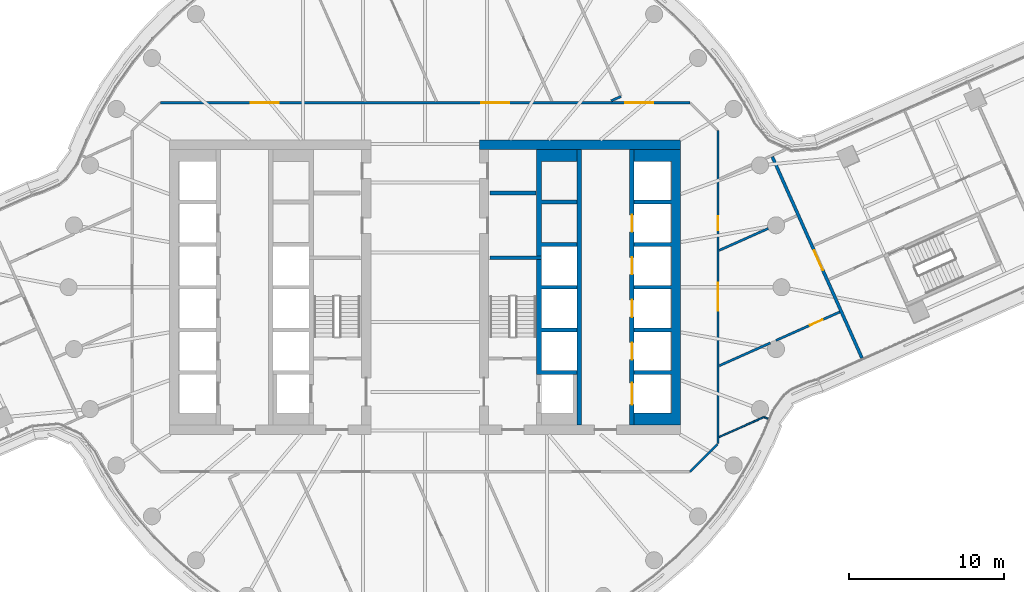
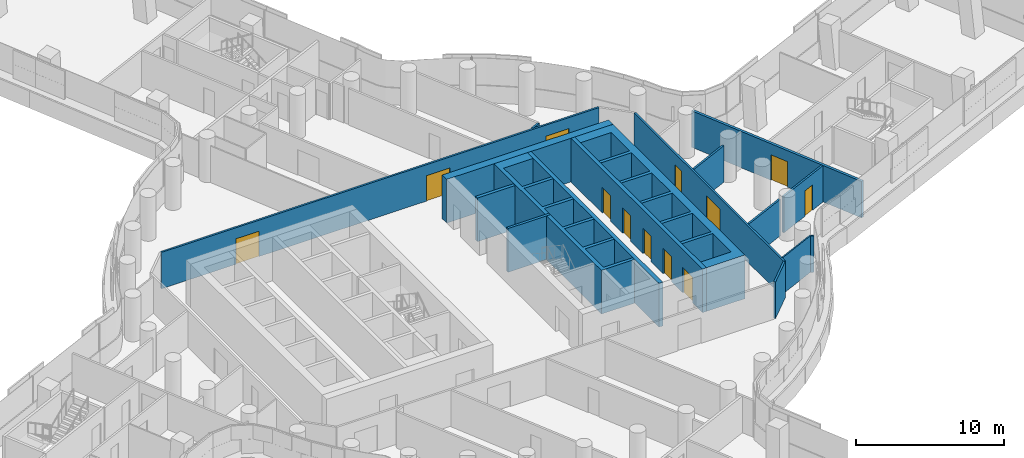
# One storey, part 24 of 35: 17 walls, 12 doors, 12 openings.
"""IFC4 building model written with IfcOpenShell, lengths in metres."""

from ifc_helpers import new_model, si_unit, direction, frame, frame_2d, origin, place, context, subcontext, project, spatial, polyline, rectangle, outline, extrude, material, layer, layer_set, type_object, element, fill, save


model = new_model("IFC4")

# Units and contexts
model_context = context("Model", 3, precision=1e-05, world=origin(), true_north=direction((0.0, 1.0)))
body_context = subcontext(model_context, "Body", "Model", "MODEL_VIEW")
ifc_project = project(units=[si_unit("LENGTHUNIT", "METRE"), si_unit("AREAUNIT", "SQUARE_METRE"), si_unit("VOLUMEUNIT", "CUBIC_METRE"), si_unit("PLANEANGLEUNIT", "RADIAN"), si_unit("MASSUNIT", "GRAM", prefix="KILO")], contexts=[model_context])

# Site, building, storey
site_placement = place(None, origin())
site = spatial("IfcSite", under=ifc_project, at=site_placement, CompositionType="ELEMENT")
building_placement = place(site_placement, origin())
building = spatial("IfcBuilding", under=site, at=building_placement, Name="Tamarind Cross Interchange Tower", CompositionType="ELEMENT")
storey_placement = place(building_placement, frame((0.0, 0.0, 121.0)))
storey = spatial("IfcBuildingStorey", under=building, at=storey_placement, Name="L29", CompositionType="ELEMENT", Elevation=121.0)

# Walls
ifc_material_1 = material(Name="Concrete C70", Category="concrete")
ifc_layer_1 = layer(ifc_material_1, 0.60009765625)
ifc_layer_set_1 = layer_set([ifc_layer_1], Name="Concrete C70")
wall_type_1 = type_object("IfcWallType", Name="Core wall 600 mm Concrete C70", PredefinedType="SHEAR", material=ifc_layer_set_1)
wall_1_placement = place(storey_placement, origin())
element("IfcWall", 1, at=wall_1_placement, inside=storey, type_object=wall_type_1, Name="Core wall CWL-L29-E-A", PredefinedType="SHEAR", context=body_context, shape_type="SweptSolid", body=[
    extrude(outline(polyline([(13.5, -8.89990234375), (15.89990234375, -8.89990234375), (16.5, -8.89990234375), (16.5, 8.89990234375), (15.89990234375, 8.89990234375), (13.5, 8.89990234375), (13.5, 8.125), (15.89990234375, 8.125), (15.89990234375, 5.625), (13.5, 5.625), (13.5, 5.375), (15.89990234375, 5.375), (15.89990234375, 2.875), (13.5, 2.875), (13.5, 2.625), (15.89990234375, 2.625), (15.89990234375, 0.125), (13.5, 0.125), (13.5, -0.125), (15.89990234375, -0.125), (15.89990234375, -2.625), (13.5, -2.625), (13.5, -2.875), (15.89990234375, -2.875), (15.89990234375, -5.375), (13.5, -5.375), (13.5, -5.625), (15.89990234375, -5.625), (15.89990234375, -8.125), (13.5, -8.125), (13.5, -8.89990234375)])), origin(), (0.0, 0.0, 1.0), 3.610107421875),
])
wall_2_placement = place(storey_placement, frame((16.5, 9.199951171875, 0.0), z_axis=(0.0, 0.0, 1.0), x_axis=(-1.0, 0.0, 0.0)))
element("IfcWall", 2, at=wall_2_placement, inside=storey, type_object=wall_type_1, Name="Core wall CWL-L29-E-NE", PredefinedType="SHEAR", context=body_context, shape_type="SweptSolid", body=[
    extrude(rectangle(XDim=13.0, YDim=0.60009765625, at=frame_2d((6.5, 0.0))), origin(), (0.0, 0.0, 1.0), 3.610107421875),
])
ifc_layer_2 = layer(ifc_material_1, 0.199951171875)
ifc_layer_set_2 = layer_set([ifc_layer_2], Name="Concrete C70")
wall_type_2 = type_object("IfcWallType", Name="Core web wall 200 mm Concrete C70", PredefinedType="SHEAR", material=ifc_layer_set_2)
wall_3_placement = place(storey_placement, frame((7.5, 1.89990234375, 0.0), z_axis=(0.0, 0.0, 1.0), x_axis=(-1.0, 0.0, 0.0)))
element("IfcWall", 3, at=wall_3_placement, inside=storey, type_object=wall_type_2, Name="Core wall CWL-L29-E-BD", PredefinedType="SHEAR", context=body_context, shape_type="SweptSolid", body=[
    extrude(rectangle(XDim=3.300048828125, YDim=0.199951171875, at=frame_2d((1.64990234375, 0.0))), origin(), (0.0, 0.0, 1.0), 3.610107421875),
])
ifc_layer_3 = layer(ifc_material_1, 0.300048828125)
ifc_layer_set_3 = layer_set([ifc_layer_3], Name="Concrete C70")
wall_type_3 = type_object("IfcWallType", Name="Core web wall 300 mm Concrete C70", PredefinedType="SHEAR", material=ifc_layer_set_3)
wall_4_placement = place(storey_placement, origin())
element("IfcWall", 4, at=wall_4_placement, inside=storey, type_object=wall_type_3, Name="Core wall CWL-L29-E-BN", PredefinedType="SHEAR", context=body_context, shape_type="SweptSolid", body=[
    extrude(outline(polyline([(9.800048828125, -5.375), (7.5, -5.375), (7.5, -2.875), (9.800048828125, -2.875), (9.800048828125, -2.625), (7.5, -2.625), (7.5, -0.125), (9.800048828125, -0.125), (9.800048828125, 0.125), (7.5, 0.125), (7.5, 2.625), (9.800048828125, 2.625), (9.800048828125, 2.875), (7.5, 2.875), (7.5, 5.375), (9.800048828125, 5.375), (9.800048828125, 5.625), (7.5, 5.625), (7.5, 8.125), (9.800048828125, 8.125), (9.800048828125, 8.89990234375), (7.5, 8.89990234375), (7.199951171875, 8.89990234375), (7.199951171875, -5.625), (7.5, -5.625), (9.800048828125, -5.625), (9.800048828125, -5.375)])), origin(), (0.0, 0.0, 1.0), 3.610107421875),
])

# Wall, openings, doors
wall_5_placement = place(storey_placement, frame((13.35009765625, -8.89990234375, 0.0), z_axis=(0.0, 0.0, 1.0), x_axis=(0.0, 1.0, 0.0)))
wall_5 = element("IfcWall", 5, at=wall_5_placement, inside=storey, type_object=wall_type_3, Name="Core wall CWL-L29-E-LA", PredefinedType="SHEAR", context=body_context, shape_type="SweptSolid", body=[
    extrude(rectangle(XDim=17.7998046875, YDim=0.300048828125, at=frame_2d((8.89990234375, 0.0))), origin(), (0.0, 0.0, 1.0), 3.610107421875),
])
opening_1_placement = place(wall_5_placement, frame((1.324951171875, 0.0, 0.0)))
opening_1 = element("IfcOpeningElement", 6, at=opening_1_placement, cuts=wall_5, Name="Opening LD13L29", PredefinedType="OPENING", context=body_context, shape_type="SweptSolid", body=[
    extrude(rectangle(XDim=1.39990234375, YDim=2.10009765625, at=frame_2d((0.699951171875, 1.050048828125))), frame((0.0, 0.159912109375, 0.0), z_axis=(0.0, -1.0, 0.0), x_axis=(1.0, 0.0, 0.0)), (0.0, 0.0, 1.0), 0.320068359375),
])
opening_2_placement = place(wall_5_placement, frame((4.22509765625, 0.0, 0.0)))
opening_2 = element("IfcOpeningElement", 7, at=opening_2_placement, cuts=wall_5, Name="Opening LD14L29", PredefinedType="OPENING", context=body_context, shape_type="SweptSolid", body=[
    extrude(rectangle(XDim=1.10009765625, YDim=2.10009765625, at=frame_2d((0.550048828125, 1.050048828125))), frame((0.0, 0.159912109375, 0.0), z_axis=(0.0, -1.0, 0.0), x_axis=(1.0, 0.0, 0.0)), (0.0, 0.0, 1.0), 0.320068359375),
])
opening_3_placement = place(wall_5_placement, frame((6.97509765625, 0.0, 0.0)))
opening_3 = element("IfcOpeningElement", 8, at=opening_3_placement, cuts=wall_5, Name="Opening LD15L29", PredefinedType="OPENING", context=body_context, shape_type="SweptSolid", body=[
    extrude(rectangle(XDim=1.10009765625, YDim=2.10009765625, at=frame_2d((0.550048828125, 1.050048828125))), frame((0.0, 0.159912109375, 0.0), z_axis=(0.0, -1.0, 0.0), x_axis=(1.0, 0.0, 0.0)), (0.0, 0.0, 1.0), 0.320068359375),
])
opening_4_placement = place(wall_5_placement, frame((9.72509765625, 0.0, 0.0)))
opening_4 = element("IfcOpeningElement", 9, at=opening_4_placement, cuts=wall_5, Name="Opening LD16L29", PredefinedType="OPENING", context=body_context, shape_type="SweptSolid", body=[
    extrude(rectangle(XDim=1.10009765625, YDim=2.10009765625, at=frame_2d((0.550048828125, 1.050048828125))), frame((0.0, 0.159912109375, 0.0), z_axis=(0.0, -1.0, 0.0), x_axis=(1.0, 0.0, 0.0)), (0.0, 0.0, 1.0), 0.320068359375),
])
opening_5_placement = place(wall_5_placement, frame((12.47509765625, 0.0, 0.0)))
opening_5 = element("IfcOpeningElement", 10, at=opening_5_placement, cuts=wall_5, Name="Opening LD17L29", PredefinedType="OPENING", context=body_context, shape_type="SweptSolid", body=[
    extrude(rectangle(XDim=1.10009765625, YDim=2.10009765625, at=frame_2d((0.550048828125, 1.050048828125))), frame((0.0, 0.159912109375, 0.0), z_axis=(0.0, -1.0, 0.0), x_axis=(1.0, 0.0, 0.0)), (0.0, 0.0, 1.0), 0.320068359375),
])
ifc_material_2 = material(Name="Stainless steel panel", Category="steel")
door_type_1 = type_object("IfcDoorType", Name="Lift landing door 1100 x 2100 E 120", OperationType="SLIDING_TO_LEFT", PredefinedType="DOOR", material=ifc_material_2)
door_1_placement = place(opening_2_placement, origin())
door_1 = element("IfcDoor", 11, at=door_1_placement, inside=storey, type_object=door_type_1, Name="L29 landing door LF14", OperationType="SLIDING_TO_LEFT", OverallHeight=2.10009765625, OverallWidth=1.10009765625, PredefinedType="DOOR", context=body_context, shape_type="SweptSolid", body=[
    extrude(rectangle(XDim=1.10009765625, YDim=2.10009765625, at=frame_2d((0.550048828125, 1.050048828125))), frame((0.0, 0.02490234375, 0.0), z_axis=(0.0, -1.0, 0.0), x_axis=(1.0, 0.0, 0.0)), (0.0, 0.0, 1.0), 0.050048828125),
])
fill(opening_2, door_1)
door_2_placement = place(opening_3_placement, origin())
door_2 = element("IfcDoor", 12, at=door_2_placement, inside=storey, type_object=door_type_1, Name="L29 landing door LF15", OperationType="SLIDING_TO_LEFT", OverallHeight=2.10009765625, OverallWidth=1.10009765625, PredefinedType="DOOR", context=body_context, shape_type="SweptSolid", body=[
    extrude(rectangle(XDim=1.10009765625, YDim=2.10009765625, at=frame_2d((0.550048828125, 1.050048828125))), frame((0.0, 0.02490234375, 0.0), z_axis=(0.0, -1.0, 0.0), x_axis=(1.0, 0.0, 0.0)), (0.0, 0.0, 1.0), 0.050048828125),
])
fill(opening_3, door_2)
door_3_placement = place(opening_4_placement, origin())
door_3 = element("IfcDoor", 13, at=door_3_placement, inside=storey, type_object=door_type_1, Name="L29 landing door LF16", OperationType="SLIDING_TO_LEFT", OverallHeight=2.10009765625, OverallWidth=1.10009765625, PredefinedType="DOOR", context=body_context, shape_type="SweptSolid", body=[
    extrude(rectangle(XDim=1.10009765625, YDim=2.10009765625, at=frame_2d((0.550048828125, 1.050048828125))), frame((0.0, 0.02490234375, 0.0), z_axis=(0.0, -1.0, 0.0), x_axis=(1.0, 0.0, 0.0)), (0.0, 0.0, 1.0), 0.050048828125),
])
fill(opening_4, door_3)
door_4_placement = place(opening_5_placement, origin())
door_4 = element("IfcDoor", 14, at=door_4_placement, inside=storey, type_object=door_type_1, Name="L29 landing door LF17", OperationType="SLIDING_TO_LEFT", OverallHeight=2.10009765625, OverallWidth=1.10009765625, PredefinedType="DOOR", context=body_context, shape_type="SweptSolid", body=[
    extrude(rectangle(XDim=1.10009765625, YDim=2.10009765625, at=frame_2d((0.550048828125, 1.050048828125))), frame((0.0, 0.02490234375, 0.0), z_axis=(0.0, -1.0, 0.0), x_axis=(1.0, 0.0, 0.0)), (0.0, 0.0, 1.0), 0.050048828125),
])
fill(opening_5, door_4)
door_type_2 = type_object("IfcDoorType", Name="Lift landing door 1400 x 2100 E 120", OperationType="SLIDING_TO_LEFT", PredefinedType="DOOR", material=ifc_material_2)
door_5_placement = place(opening_1_placement, origin())
door_5 = element("IfcDoor", 15, at=door_5_placement, inside=storey, type_object=door_type_2, Name="L29 landing door LF13", OperationType="SLIDING_TO_LEFT", OverallHeight=2.10009765625, OverallWidth=1.39990234375, PredefinedType="DOOR", context=body_context, shape_type="SweptSolid", body=[
    extrude(rectangle(XDim=1.39990234375, YDim=2.10009765625, at=frame_2d((0.699951171875, 1.050048828125))), frame((0.0, 0.02490234375, 0.0), z_axis=(0.0, -1.0, 0.0), x_axis=(1.0, 0.0, 0.0)), (0.0, 0.0, 1.0), 0.050048828125),
])
fill(opening_1, door_5)

# Walls
wall_6_placement = place(storey_placement, frame((9.949951171875, -8.89990234375, 0.0), z_axis=(0.0, 0.0, 1.0), x_axis=(0.0, 1.0, 0.0)))
element("IfcWall", 16, at=wall_6_placement, inside=storey, type_object=wall_type_3, Name="Core wall CWL-L29-E-LB", PredefinedType="SHEAR", context=body_context, shape_type="SweptSolid", body=[
    extrude(rectangle(XDim=17.7998046875, YDim=0.300048828125, at=frame_2d((8.89990234375, 0.0))), origin(), (0.0, 0.0, 1.0), 3.610107421875),
])
ifc_material_3 = material(Name="Gypsum board partition on steel studs", Category="steel")
ifc_layer_4 = layer(ifc_material_3, 0.10009765625)
ifc_layer_set_4 = layer_set([ifc_layer_4], Name="Gypsum board partition on steel studs")
wall_type_4 = type_object("IfcWallType", Name="Partition 100 mm EI 90", PredefinedType="PARTITIONING", material=ifc_layer_set_4)
wall_7_placement = place(storey_placement, frame((21.923095703125, -8.40234375, 0.0), z_axis=(0.0, 0.0, 1.0), x_axis=(0.934418057451, -0.356178177193, 0.0)))
element("IfcWall", 17, at=wall_7_placement, inside=storey, type_object=wall_type_4, Name="Partition L29-041", PredefinedType="PARTITIONING", context=body_context, shape_type="SweptSolid", body=[
    extrude(rectangle(XDim=0.22216796875, YDim=0.10009765625, at=frame_2d((0.111083984375, 0.0))), origin(), (0.0, 0.0, 1.0), 3.010009765625),
])
wall_8_placement = place(storey_placement, frame((18.9775390625, -9.66845703125, 0.0), z_axis=(0.0, 0.0, 1.0), x_axis=(0.913444648298, 0.406962989099, 0.0)))
element("IfcWall", 18, at=wall_8_placement, inside=storey, type_object=wall_type_4, Name="Partition L29-066", PredefinedType="PARTITIONING", context=body_context, shape_type="SweptSolid", body=[
    extrude(rectangle(XDim=3.213623046875, YDim=0.10009765625, at=frame_2d((1.60693359375, 0.0))), origin(), (0.0, 0.0, 1.0), 3.010009765625),
])

# Wall, openings, doors
ifc_layer_5 = layer(ifc_material_3, 0.14990234375)
ifc_layer_set_5 = layer_set([ifc_layer_5], Name="Gypsum board partition on steel studs")
wall_type_5 = type_object("IfcWallType", Name="Partition 150 mm EI 120", PredefinedType="PARTITIONING", material=ifc_layer_set_5)
wall_9_placement = place(storey_placement, frame((-17.06494140625, 11.89990234375, 0.0), z_axis=(0.0, 0.0, 1.0), x_axis=(1.0, 0.0, 0.0)))
wall_9 = element("IfcWall", 19, at=wall_9_placement, inside=storey, type_object=wall_type_5, Name="Partition L29-043", PredefinedType="PARTITIONING", context=body_context, shape_type="SweptSolid", body=[
    extrude(rectangle(XDim=34.1650390625, YDim=0.14990234375, at=frame_2d((17.08251953125, 0.0))), origin(), (0.0, 0.0, 1.0), 3.010009765625),
])
opening_6_placement = place(wall_9_placement, frame((20.696044921875, 0.0, 0.0)))
opening_6 = element("IfcOpeningElement", 20, at=opening_6_placement, cuts=wall_9, Name="Opening D20", PredefinedType="OPENING", context=body_context, shape_type="SweptSolid", body=[
    extrude(rectangle(XDim=1.800048828125, YDim=2.10009765625, at=frame_2d((0.89990234375, 1.050048828125))), frame((0.0, 0.0849609375, 0.0), z_axis=(0.0, -1.0, 0.0), x_axis=(1.0, 0.0, 0.0)), (0.0, 0.0, 1.0), 0.169921875),
])
opening_7_placement = place(wall_9_placement, frame((29.991943359375, 0.0, 0.0)))
opening_7 = element("IfcOpeningElement", 21, at=opening_7_placement, cuts=wall_9, Name="Opening D21", PredefinedType="OPENING", context=body_context, shape_type="SweptSolid", body=[
    extrude(rectangle(XDim=1.800048828125, YDim=2.10009765625, at=frame_2d((0.89990234375, 1.050048828125))), frame((0.0, 0.0849609375, 0.0), z_axis=(0.0, -1.0, 0.0), x_axis=(1.0, 0.0, 0.0)), (0.0, 0.0, 1.0), 0.169921875),
])
opening_8_placement = place(wall_9_placement, frame((5.81494140625, 0.0, 0.0)))
opening_8 = element("IfcOpeningElement", 22, at=opening_8_placement, cuts=wall_9, Name="Opening D22", PredefinedType="OPENING", context=body_context, shape_type="SweptSolid", body=[
    extrude(rectangle(XDim=1.800048828125, YDim=2.10009765625, at=frame_2d((0.89990234375, 1.050048828125))), frame((0.0, 0.0849609375, 0.0), z_axis=(0.0, -1.0, 0.0), x_axis=(1.0, 0.0, 0.0)), (0.0, 0.0, 1.0), 0.169921875),
])
ifc_material_4 = material(Name="Fire-resisting door set")
door_type_3 = type_object("IfcDoorType", Name="Interior door 1800 x 2100 FD60S", OperationType="DOUBLE_DOOR_SINGLE_SWING", PredefinedType="DOOR", material=ifc_material_4)
door_6_placement = place(opening_6_placement, frame((1.800048828125, 0.0, 0.0), z_axis=(0.0, 0.0, 1.0), x_axis=(-1.0, 0.0, 0.0)))
door_6 = element("IfcDoor", 23, at=door_6_placement, inside=storey, type_object=door_type_3, Name="Door D20", OperationType="DOUBLE_DOOR_SINGLE_SWING", OverallHeight=2.10009765625, OverallWidth=1.800048828125, PredefinedType="DOOR", context=body_context, shape_type="SweptSolid", body=[
    extrude(rectangle(XDim=1.800048828125, YDim=2.10009765625, at=frame_2d((0.89990234375, 1.050048828125))), frame((0.0, 0.02490234375, 0.0), z_axis=(0.0, -1.0, 0.0), x_axis=(1.0, 0.0, 0.0)), (0.0, 0.0, 1.0), 0.050048828125),
])
fill(opening_6, door_6)
door_7_placement = place(opening_7_placement, origin())
door_7 = element("IfcDoor", 24, at=door_7_placement, inside=storey, type_object=door_type_3, Name="Door D21", OperationType="DOUBLE_DOOR_SINGLE_SWING", OverallHeight=2.10009765625, OverallWidth=1.800048828125, PredefinedType="DOOR", context=body_context, shape_type="SweptSolid", body=[
    extrude(rectangle(XDim=1.800048828125, YDim=2.10009765625, at=frame_2d((0.89990234375, 1.050048828125))), frame((0.0, 0.02490234375, 0.0), z_axis=(0.0, -1.0, 0.0), x_axis=(1.0, 0.0, 0.0)), (0.0, 0.0, 1.0), 0.050048828125),
])
fill(opening_7, door_7)
door_8_placement = place(opening_8_placement, origin())
door_8 = element("IfcDoor", 25, at=door_8_placement, inside=storey, type_object=door_type_3, Name="Door D22", OperationType="DOUBLE_DOOR_SINGLE_SWING", OverallHeight=2.10009765625, OverallWidth=1.800048828125, PredefinedType="DOOR", context=body_context, shape_type="SweptSolid", body=[
    extrude(rectangle(XDim=1.800048828125, YDim=2.10009765625, at=frame_2d((0.89990234375, 1.050048828125))), frame((0.0, 0.02490234375, 0.0), z_axis=(0.0, -1.0, 0.0), x_axis=(1.0, 0.0, 0.0)), (0.0, 0.0, 1.0), 0.050048828125),
])
fill(opening_8, door_8)

# Walls
wall_10_placement = place(storey_placement, frame((12.005615234375, 12.024169921875, 0.0), z_axis=(0.0, 0.0, 1.0), x_axis=(0.913247290994, 0.407405676803, 0.0)))
element("IfcWall", 26, at=wall_10_placement, inside=storey, type_object=wall_type_5, Name="Partition L29-065", PredefinedType="PARTITIONING", context=body_context, shape_type="SweptSolid", body=[
    extrude(rectangle(XDim=0.697021484375, YDim=0.14990234375, at=frame_2d((0.3486328125, 0.0))), origin(), (0.0, 0.0, 1.0), 3.010009765625),
])
wall_11_placement = place(storey_placement, frame((18.98681640625, -5.06640625, 0.0), z_axis=(0.0, 0.0, 1.0), x_axis=(0.913319907559, 0.407242859307, 0.0)))
element("IfcWall", 27, at=wall_11_placement, inside=storey, type_object=wall_type_5, Name="Partition L29-067", PredefinedType="PARTITIONING", context=body_context, shape_type="SweptSolid", body=[
    extrude(rectangle(XDim=3.60888671875, YDim=0.14990234375, at=frame_2d((1.804443359375, 0.0))), origin(), (0.0, 0.0, 1.0), 3.010009765625),
])

# Wall, opening, door
wall_12_placement = place(storey_placement, frame((22.643798828125, -3.435791015625, 0.0), z_axis=(0.0, 0.0, 1.0), x_axis=(0.913319316441, 0.407244185, 0.0)))
wall_12 = element("IfcWall", 28, at=wall_12_placement, inside=storey, type_object=wall_type_5, Name="Partition L29-068", PredefinedType="PARTITIONING", context=body_context, shape_type="SweptSolid", body=[
    extrude(rectangle(XDim=4.505859375, YDim=0.14990234375, at=frame_2d((2.2529296875, 0.0))), origin(), (0.0, 0.0, 1.0), 3.010009765625),
])
opening_9_placement = place(wall_12_placement, frame((2.39990234375, 0.0, 0.0)))
opening_9 = element("IfcOpeningElement", 29, at=opening_9_placement, cuts=wall_12, Name="Opening D34", PredefinedType="OPENING", context=body_context, shape_type="SweptSolid", body=[
    extrude(rectangle(XDim=0.89990234375, YDim=2.10009765625, at=frame_2d((0.449951171875, 1.050048828125))), frame((0.0, 0.0849609375, 0.0), z_axis=(0.0, -1.0, 0.0), x_axis=(1.0, 0.0, 0.0)), (0.0, 0.0, 1.0), 0.169921875),
])
door_type_4 = type_object("IfcDoorType", Name="Interior door 900 x 2100 FD60S", OperationType="SINGLE_SWING_LEFT", PredefinedType="DOOR", material=ifc_material_4)
door_9_placement = place(opening_9_placement, frame((0.89990234375, 0.0, 0.0), z_axis=(0.0, 0.0, 1.0), x_axis=(-1.0, 0.0, 0.0)))
door_9 = element("IfcDoor", 30, at=door_9_placement, inside=storey, type_object=door_type_4, Name="Door D34", OperationType="SINGLE_SWING_RIGHT", OverallHeight=2.10009765625, OverallWidth=0.89990234375, PredefinedType="DOOR", context=body_context, shape_type="SweptSolid", body=[
    extrude(rectangle(XDim=0.89990234375, YDim=2.10009765625, at=frame_2d((0.449951171875, 1.050048828125))), frame((0.0, 0.02490234375, 0.0), z_axis=(0.0, -1.0, 0.0), x_axis=(1.0, 0.0, 0.0)), (0.0, 0.0, 1.0), 0.050048828125),
])
fill(opening_9, door_9)

# Walls
wall_13_placement = place(storey_placement, frame((18.98681640625, 2.378662109375, 0.0), z_axis=(0.0, 0.0, 1.0), x_axis=(0.913278113034, 0.407336578585, 0.0)))
element("IfcWall", 31, at=wall_13_placement, inside=storey, type_object=wall_type_5, Name="Partition L29-069", PredefinedType="PARTITIONING", context=body_context, shape_type="SweptSolid", body=[
    extrude(rectangle(XDim=3.458984375, YDim=0.14990234375, at=frame_2d((1.7294921875, 0.0))), origin(), (0.0, 0.0, 1.0), 3.010009765625),
])
wall_14_placement = place(storey_placement, frame((17.10009765625, -11.89990234375, 0.0), z_axis=(0.0, 0.0, 1.0), x_axis=(0.707106781187, 0.707106781187, 0.0)))
element("IfcWall", 32, at=wall_14_placement, inside=storey, type_object=wall_type_5, Name="Partition L29-077", PredefinedType="PARTITIONING", context=body_context, shape_type="SweptSolid", body=[
    extrude(rectangle(XDim=2.50537109375, YDim=0.14990234375, at=frame_2d((1.252685546875, 0.0))), origin(), (0.0, 0.0, 1.0), 3.010009765625),
])

# Wall, openings, doors
wall_15_placement = place(storey_placement, frame((18.89990234375, -10.10009765625, 0.0), z_axis=(0.0, 0.0, 1.0), x_axis=(0.0, 1.0, 0.0)))
wall_15 = element("IfcWall", 33, at=wall_15_placement, inside=storey, type_object=wall_type_5, Name="Partition L29-081", PredefinedType="PARTITIONING", context=body_context, shape_type="SweptSolid", body=[
    extrude(rectangle(XDim=20.2001953125, YDim=0.14990234375, at=frame_2d((10.10009765625, 0.0))), origin(), (0.0, 0.0, 1.0), 3.010009765625),
])
opening_10_placement = place(wall_15_placement, frame((8.594970703125, 0.0, 0.0)))
opening_10 = element("IfcOpeningElement", 34, at=opening_10_placement, cuts=wall_15, Name="Opening D40", PredefinedType="OPENING", context=body_context, shape_type="SweptSolid", body=[
    extrude(rectangle(XDim=1.800048828125, YDim=2.10009765625, at=frame_2d((0.89990234375, 1.050048828125))), frame((0.0, 0.0849609375, 0.0), z_axis=(0.0, -1.0, 0.0), x_axis=(1.0, 0.0, 0.0)), (0.0, 0.0, 1.0), 0.169921875),
])
opening_11_placement = place(wall_15_placement, frame((13.7900390625, 0.0, 0.0)))
opening_11 = element("IfcOpeningElement", 35, at=opening_11_placement, cuts=wall_15, Name="Opening D41", PredefinedType="OPENING", context=body_context, shape_type="SweptSolid", body=[
    extrude(rectangle(XDim=0.89990234375, YDim=2.10009765625, at=frame_2d((0.449951171875, 1.050048828125))), frame((0.0, 0.0849609375, 0.0), z_axis=(0.0, -1.0, 0.0), x_axis=(1.0, 0.0, 0.0)), (0.0, 0.0, 1.0), 0.169921875),
])
door_10_placement = place(opening_10_placement, origin())
door_10 = element("IfcDoor", 36, at=door_10_placement, inside=storey, type_object=door_type_3, Name="Door D40", OperationType="DOUBLE_DOOR_SINGLE_SWING", OverallHeight=2.10009765625, OverallWidth=1.800048828125, PredefinedType="DOOR", context=body_context, shape_type="SweptSolid", body=[
    extrude(rectangle(XDim=1.800048828125, YDim=2.10009765625, at=frame_2d((0.89990234375, 1.050048828125))), frame((0.0, 0.02490234375, 0.0), z_axis=(0.0, -1.0, 0.0), x_axis=(1.0, 0.0, 0.0)), (0.0, 0.0, 1.0), 0.050048828125),
])
fill(opening_10, door_10)
door_11_placement = place(opening_11_placement, frame((0.89990234375, 0.0, 0.0), z_axis=(0.0, 0.0, 1.0), x_axis=(-1.0, 0.0, 0.0)))
door_11 = element("IfcDoor", 37, at=door_11_placement, inside=storey, type_object=door_type_4, Name="Door D41", OperationType="SINGLE_SWING_RIGHT", OverallHeight=2.10009765625, OverallWidth=0.89990234375, PredefinedType="DOOR", context=body_context, shape_type="SweptSolid", body=[
    extrude(rectangle(XDim=0.89990234375, YDim=2.10009765625, at=frame_2d((0.449951171875, 1.050048828125))), frame((0.0, 0.02490234375, 0.0), z_axis=(0.0, -1.0, 0.0), x_axis=(1.0, 0.0, 0.0)), (0.0, 0.0, 1.0), 0.050048828125),
])
fill(opening_11, door_11)

# Wall, opening, door
ifc_layer_6 = layer(ifc_material_3, 0.199951171875)
ifc_layer_set_6 = layer_set([ifc_layer_6], Name="Gypsum board partition on steel studs")
wall_type_6 = type_object("IfcWallType", Name="Partition 200 mm EI 180", PredefinedType="PARTITIONING", material=ifc_layer_set_6)
wall_16_placement = place(storey_placement, frame((22.40869140625, 8.416015625, 0.0), z_axis=(0.0, 0.0, 1.0), x_axis=(0.40714663268, -0.913362808251, 0.0)))
wall_16 = element("IfcWall", 38, at=wall_16_placement, inside=storey, type_object=wall_type_6, Name="Partition L29-033", PredefinedType="PARTITIONING", context=body_context, shape_type="SweptSolid", body=[
    extrude(rectangle(XDim=14.21923828125, YDim=0.199951171875, at=frame_2d((7.109619140625, 0.0))), origin(), (0.0, 0.0, 1.0), 3.010009765625),
])
opening_12_placement = place(wall_16_placement, frame((6.62060546875, 0.0, 0.0)))
opening_12 = element("IfcOpeningElement", 39, at=opening_12_placement, cuts=wall_16, Name="Opening D15", PredefinedType="OPENING", context=body_context, shape_type="SweptSolid", body=[
    extrude(rectangle(XDim=1.39990234375, YDim=2.10009765625, at=frame_2d((0.699951171875, 1.050048828125))), frame((0.0, 0.10986328125, 0.0), z_axis=(0.0, -1.0, 0.0), x_axis=(1.0, 0.0, 0.0)), (0.0, 0.0, 1.0), 0.219970703125),
])
door_type_5 = type_object("IfcDoorType", Name="Interior door 1400 x 2100 FD120S", OperationType="DOUBLE_DOOR_SINGLE_SWING", PredefinedType="DOOR", material=ifc_material_4)
door_12_placement = place(opening_12_placement, frame((1.39990234375, 0.0, 0.0), z_axis=(0.0, 0.0, 1.0), x_axis=(-1.0, 0.0, 0.0)))
door_12 = element("IfcDoor", 40, at=door_12_placement, inside=storey, type_object=door_type_5, Name="Door D15", OperationType="DOUBLE_DOOR_SINGLE_SWING", OverallHeight=2.10009765625, OverallWidth=1.39990234375, PredefinedType="DOOR", context=body_context, shape_type="SweptSolid", body=[
    extrude(rectangle(XDim=1.39990234375, YDim=2.10009765625, at=frame_2d((0.699951171875, 1.050048828125))), frame((0.0, 0.02490234375, 0.0), z_axis=(0.0, -1.0, 0.0), x_axis=(1.0, 0.0, 0.0)), (0.0, 0.0, 1.0), 0.050048828125),
])
fill(opening_12, door_12)

# Wall
ifc_material_5 = material(Name="Concrete C40", Category="concrete")
ifc_layer_7 = layer(ifc_material_5, 0.25)
ifc_layer_set_7 = layer_set([ifc_layer_7], Name="Concrete C40")
wall_type_7 = type_object("IfcWallType", Name="Shaft and lobby wall 250 mm Concrete C40", PredefinedType="PARTITIONING", material=ifc_layer_set_7)
wall_17_placement = place(storey_placement, frame((7.14990234375, 6.080078125, 0.0), z_axis=(0.0, 0.0, 1.0), x_axis=(-1.0, 0.0, 0.0)))
element("IfcWall", 41, at=wall_17_placement, inside=storey, type_object=wall_type_7, Name="Shaft wall CWL-L29-E-SVP", PredefinedType="PARTITIONING", context=body_context, shape_type="SweptSolid", body=[
    extrude(rectangle(XDim=2.949951171875, YDim=0.25, at=frame_2d((1.47509765625, 0.0))), origin(), (0.0, 0.0, 1.0), 3.610107421875),
])

save(model, "model.ifc")
